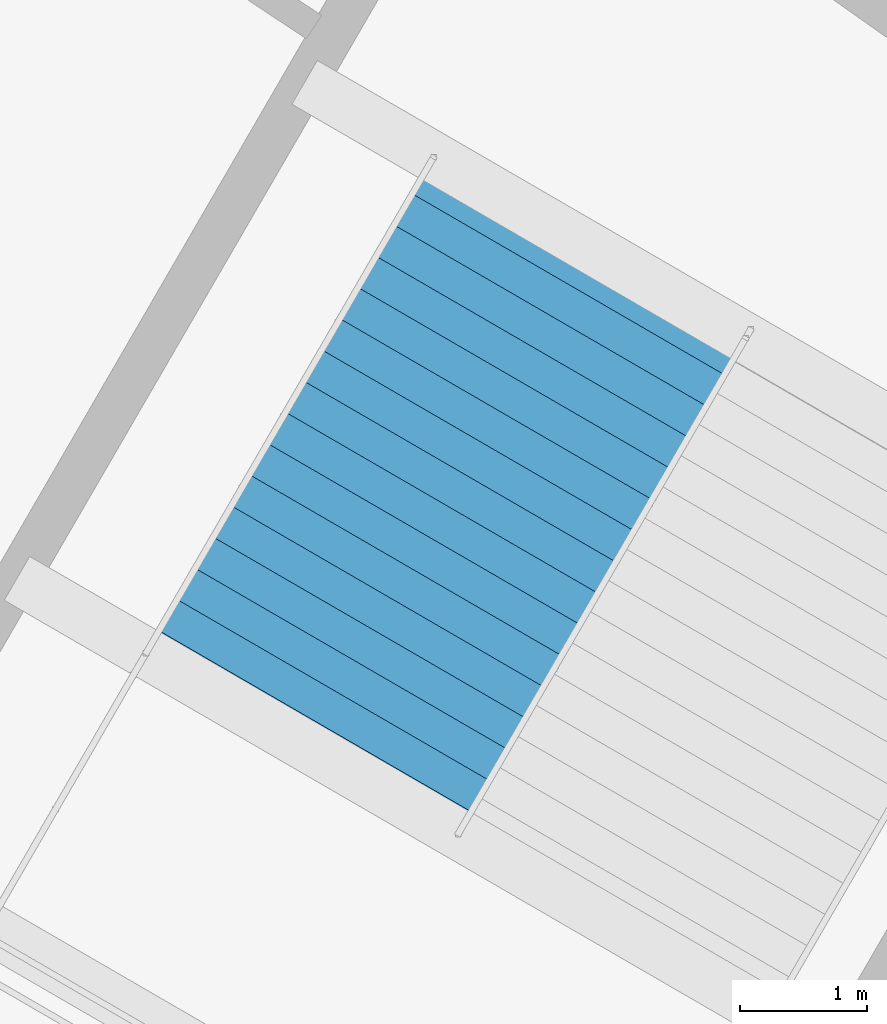
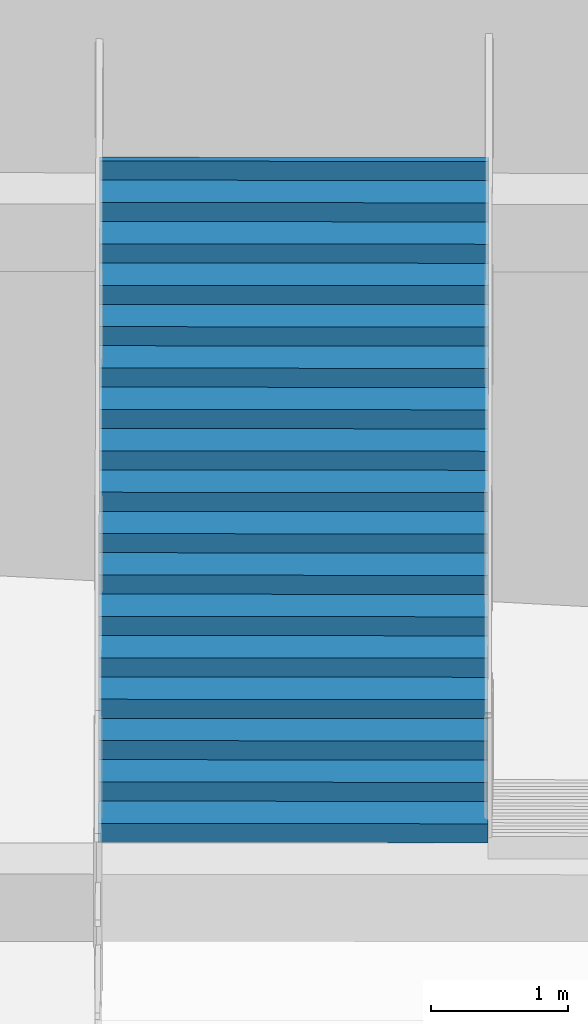
# One storey, part 33 of 48: 1 stair flight, 1 element without a shape of its own.
"""IFC4 building model written with IfcOpenShell, lengths in metres."""

from ifc_helpers import new_model, si_unit, direction, frame, origin, place, context, subcontext, project, spatial, polygons, material, type_object, element, aggregate, save


model = new_model("IFC4")

# Units and contexts
model_context = context("Model", 3, precision=1e-05, world=origin(), true_north=direction((0.0, 1.0)))
body_context = subcontext(model_context, "Body", "Model", "MODEL_VIEW")
ifc_project = project(units=[si_unit("LENGTHUNIT", "METRE"), si_unit("AREAUNIT", "SQUARE_METRE"), si_unit("VOLUMEUNIT", "CUBIC_METRE"), si_unit("PLANEANGLEUNIT", "RADIAN"), si_unit("MASSUNIT", "GRAM", prefix="KILO")], contexts=[model_context])

# Site, building, storey
site_placement = place(None, origin())
site = spatial("IfcSite", under=ifc_project, at=site_placement, CompositionType="ELEMENT")
building_placement = place(site_placement, origin())
building = spatial("IfcBuilding", under=site, at=building_placement, Name="Kazemori Nagisa Stadium", CompositionType="ELEMENT")
storey_placement = place(building_placement, origin())
storey = spatial("IfcBuildingStorey", under=building, at=storey_placement, Name="L00", CompositionType="ELEMENT", Elevation=0.0)

# Stair, stair flight
ifc_material = material(Name="Concrete C36/45 (Fc36)", Category="concrete")
stair_type = type_object("IfcStairType", Name="Stair_CORE_34", PredefinedType="TWO_STRAIGHT_RUN_STAIR", material=ifc_material)
stair_placement = place(storey_placement, origin())
stair = element("IfcStair", 1, at=stair_placement, inside=storey, type_object=stair_type, Name="Exit stair ST08 L00", PredefinedType="TWO_STRAIGHT_RUN_STAIR")
stair_flight_type = type_object("IfcStairFlightType", Name="Flight_CORE_17", PredefinedType="STRAIGHT", material=ifc_material)
stair_flight_placement = place(storey_placement, frame((44.725341796875, 148.096923828125, 2.889892578125), z_axis=(0.0, 0.0, 1.0), x_axis=(0.501612320914, 0.865092526559, 0.0)))
stair_flight = element("IfcStairFlight", 2, at=stair_flight_placement, type_object=stair_flight_type, Name="Exit stair ST08 L00 flight 2", NumberOfRisers=17, NumberOfTreads=16, PredefinedType="STRAIGHT", RiserHeight=0.17, TreadLength=0.285, context=body_context, shape_type="Tessellation", body=[
    polygons([(0.0, -1.425048828125, 0.0), (0.0, -1.425048828125, 0.169921875), (0.284912109375, -1.425048828125, 0.169921875), (0.284912109375, -1.425048828125, 0.340087890625), (0.570068359375, -1.425048828125, 0.340087890625), (0.570068359375, -1.425048828125, 0.510009765625), (0.85498046875, -1.425048828125, 0.510009765625), (0.85498046875, -1.425048828125, 0.679931640625), (1.139892578125, -1.425048828125, 0.679931640625), (1.139892578125, -1.425048828125, 0.85009765625), (1.425048828125, -1.425048828125, 0.85009765625), (1.425048828125, -1.425048828125, 1.02001953125), (1.7099609375, -1.425048828125, 1.02001953125), (1.7099609375, -1.425048828125, 1.18994140625), (1.9951171875, -1.425048828125, 1.18994140625), (1.9951171875, -1.425048828125, 1.360107421875), (2.280029296875, -1.425048828125, 1.360107421875), (2.280029296875, -1.425048828125, 1.530029296875), (2.56494140625, -1.425048828125, 1.530029296875), (2.56494140625, -1.425048828125, 1.699951171875), (2.85009765625, -1.425048828125, 1.699951171875), (2.85009765625, -1.425048828125, 1.8701171875), (3.135009765625, -1.425048828125, 1.8701171875), (3.135009765625, -1.425048828125, 2.0400390625), (3.419921875, -1.425048828125, 2.0400390625), (3.419921875, -1.425048828125, 2.2099609375), (3.705078125, -1.425048828125, 2.2099609375), (3.705078125, -1.425048828125, 2.3798828125), (3.989990234375, -1.425048828125, 2.3798828125), (3.989990234375, -1.425048828125, 2.550048828125), (4.27490234375, -1.425048828125, 2.550048828125), (4.27490234375, -1.425048828125, 2.719970703125), (4.56005859375, -1.425048828125, 2.719970703125), (4.56005859375, -1.425048828125, 2.889892578125), (4.610107421875, -1.425048828125, 2.889892578125), (4.610107421875, -1.425048828125, 2.51708984375), (4.56005859375, -1.425048828125, 2.487060546875), (4.27490234375, -1.425048828125, 2.317138671875), (3.989990234375, -1.425048828125, 2.147216796875), (3.705078125, -1.425048828125, 1.977294921875), (3.419921875, -1.425048828125, 1.80712890625), (3.135009765625, -1.425048828125, 1.63720703125), (2.85009765625, -1.425048828125, 1.46728515625), (2.56494140625, -1.425048828125, 1.297119140625), (2.280029296875, -1.425048828125, 1.127197265625), (1.9951171875, -1.425048828125, 0.957275390625), (1.7099609375, -1.425048828125, 0.787109375), (1.425048828125, -1.425048828125, 0.6171875), (1.139892578125, -1.425048828125, 0.447265625), (0.85498046875, -1.425048828125, 0.277099609375), (0.570068359375, -1.425048828125, 0.107177734375), (0.284912109375, -1.425048828125, 0.0), (0.0, -0.08544921875, 0.0), (0.0, -0.08544921875, 0.169921875), (0.284912109375, -0.08544921875, 0.169921875), (0.284912109375, -0.08544921875, 0.340087890625), (0.570068359375, -0.08544921875, 0.340087890625), (0.570068359375, -0.08544921875, 0.510009765625), (0.85498046875, -0.08544921875, 0.510009765625), (0.85498046875, -0.08544921875, 0.679931640625), (1.139892578125, -0.08544921875, 0.679931640625), (1.139892578125, -0.08544921875, 0.85009765625), (1.425048828125, -0.08544921875, 0.85009765625), (1.425048828125, -0.08544921875, 1.02001953125), (1.7099609375, -0.08544921875, 1.02001953125), (1.7099609375, -0.08544921875, 1.18994140625), (1.9951171875, -0.08544921875, 1.18994140625), (1.9951171875, -0.08544921875, 1.360107421875), (2.280029296875, -0.08544921875, 1.360107421875), (2.280029296875, -0.08544921875, 1.530029296875), (2.56494140625, -0.08544921875, 1.530029296875), (2.56494140625, -0.08544921875, 1.699951171875), (2.85009765625, -0.08544921875, 1.699951171875), (2.85009765625, -0.08544921875, 1.8701171875), (3.135009765625, -0.08544921875, 1.8701171875), (3.135009765625, -0.08544921875, 2.0400390625), (3.419921875, -0.08544921875, 2.0400390625), (3.419921875, -0.08544921875, 2.2099609375), (3.705078125, -0.08544921875, 2.2099609375), (3.705078125, -0.08544921875, 2.3798828125), (3.989990234375, -0.08544921875, 2.3798828125), (3.989990234375, -0.08544921875, 2.550048828125), (4.27490234375, -0.08544921875, 2.550048828125), (4.27490234375, -0.08544921875, 2.719970703125), (4.56005859375, -0.08544921875, 2.719970703125), (4.56005859375, -0.08544921875, 2.889892578125), (4.610107421875, -0.08544921875, 2.889892578125), (4.610107421875, -0.08544921875, 2.51708984375), (4.56005859375, -0.08544921875, 2.487060546875), (4.27490234375, -0.08544921875, 2.317138671875), (3.989990234375, -0.08544921875, 2.147216796875), (3.705078125, -0.08544921875, 1.977294921875), (3.419921875, -0.08544921875, 1.80712890625), (3.135009765625, -0.08544921875, 1.63720703125), (2.85009765625, -0.08544921875, 1.46728515625), (2.56494140625, -0.08544921875, 1.297119140625), (2.280029296875, -0.08544921875, 1.127197265625), (1.9951171875, -0.08544921875, 0.957275390625), (1.7099609375, -0.08544921875, 0.787109375), (1.425048828125, -0.08544921875, 0.6171875), (1.139892578125, -0.08544921875, 0.447265625), (0.85498046875, -0.08544921875, 0.277099609375), (0.570068359375, -0.08544921875, 0.107177734375), (0.284912109375, -0.08544921875, 0.0), (0.0, 0.0, 0.0), (0.0, 0.0, 0.169921875), (0.284912109375, 0.0, 0.169921875), (0.284912109375, 0.0, 0.340087890625), (0.570068359375, 0.0, 0.340087890625), (0.570068359375, 0.0, 0.510009765625), (0.85498046875, 0.0, 0.510009765625), (0.85498046875, 0.0, 0.679931640625), (1.139892578125, 0.0, 0.679931640625), (1.139892578125, 0.0, 0.85009765625), (1.425048828125, 0.0, 0.85009765625), (1.425048828125, 0.0, 1.02001953125), (1.7099609375, 0.0, 1.02001953125), (1.7099609375, 0.0, 1.18994140625), (1.9951171875, 0.0, 1.18994140625), (1.9951171875, 0.0, 1.360107421875), (2.280029296875, 0.0, 1.360107421875), (2.280029296875, 0.0, 1.530029296875), (2.56494140625, 0.0, 1.530029296875), (2.56494140625, 0.0, 1.699951171875), (2.85009765625, 0.0, 1.699951171875), (2.85009765625, 0.0, 1.8701171875), (3.135009765625, 0.0, 1.8701171875), (3.135009765625, 0.0, 2.0400390625), (3.419921875, 0.0, 2.0400390625), (3.419921875, 0.0, 2.2099609375), (3.705078125, 0.0, 2.2099609375), (3.705078125, 0.0, 2.3798828125), (3.989990234375, 0.0, 2.3798828125), (3.989990234375, 0.0, 2.550048828125), (4.27490234375, 0.0, 2.550048828125), (4.27490234375, 0.0, 2.719970703125), (4.56005859375, 0.0, 2.719970703125), (4.56005859375, 0.0, 2.889892578125), (4.610107421875, 0.0, 2.889892578125), (4.610107421875, 0.0, 2.51708984375), (4.56005859375, 0.0, 2.487060546875), (4.27490234375, 0.0, 2.317138671875), (3.989990234375, 0.0, 2.147216796875), (3.705078125, 0.0, 1.977294921875), (3.419921875, 0.0, 1.80712890625), (3.135009765625, 0.0, 1.63720703125), (2.85009765625, 0.0, 1.46728515625), (2.56494140625, 0.0, 1.297119140625), (2.280029296875, 0.0, 1.127197265625), (1.9951171875, 0.0, 0.957275390625), (1.7099609375, 0.0, 0.787109375), (1.425048828125, 0.0, 0.6171875), (1.139892578125, 0.0, 0.447265625), (0.85498046875, 0.0, 0.277099609375), (0.570068359375, 0.0, 0.107177734375), (0.284912109375, 0.0, 0.0), (0.0, 0.08544921875, 0.0), (0.0, 0.08544921875, 0.169921875), (0.284912109375, 0.08544921875, 0.169921875), (0.284912109375, 0.08544921875, 0.340087890625), (0.570068359375, 0.08544921875, 0.340087890625), (0.570068359375, 0.08544921875, 0.510009765625), (0.85498046875, 0.08544921875, 0.510009765625), (0.85498046875, 0.08544921875, 0.679931640625), (1.139892578125, 0.08544921875, 0.679931640625), (1.139892578125, 0.08544921875, 0.85009765625), (1.425048828125, 0.08544921875, 0.85009765625), (1.425048828125, 0.08544921875, 1.02001953125), (1.7099609375, 0.08544921875, 1.02001953125), (1.7099609375, 0.08544921875, 1.18994140625), (1.9951171875, 0.08544921875, 1.18994140625), (1.9951171875, 0.08544921875, 1.360107421875), (2.280029296875, 0.08544921875, 1.360107421875), (2.280029296875, 0.08544921875, 1.530029296875), (2.56494140625, 0.08544921875, 1.530029296875), (2.56494140625, 0.08544921875, 1.699951171875), (2.85009765625, 0.08544921875, 1.699951171875), (2.85009765625, 0.08544921875, 1.8701171875), (3.135009765625, 0.08544921875, 1.8701171875), (3.135009765625, 0.08544921875, 2.0400390625), (3.419921875, 0.08544921875, 2.0400390625), (3.419921875, 0.08544921875, 2.2099609375), (3.705078125, 0.08544921875, 2.2099609375), (3.705078125, 0.08544921875, 2.3798828125), (3.989990234375, 0.08544921875, 2.3798828125), (3.989990234375, 0.08544921875, 2.550048828125), (4.27490234375, 0.08544921875, 2.550048828125), (4.27490234375, 0.08544921875, 2.719970703125), (4.56005859375, 0.08544921875, 2.719970703125), (4.56005859375, 0.08544921875, 2.889892578125), (4.610107421875, 0.08544921875, 2.889892578125), (4.610107421875, 0.08544921875, 2.51708984375), (4.56005859375, 0.08544921875, 2.487060546875), (4.27490234375, 0.08544921875, 2.317138671875), (3.989990234375, 0.08544921875, 2.147216796875), (3.705078125, 0.08544921875, 1.977294921875), (3.419921875, 0.08544921875, 1.80712890625), (3.135009765625, 0.08544921875, 1.63720703125), (2.85009765625, 0.08544921875, 1.46728515625), (2.56494140625, 0.08544921875, 1.297119140625), (2.280029296875, 0.08544921875, 1.127197265625), (1.9951171875, 0.08544921875, 0.957275390625), (1.7099609375, 0.08544921875, 0.787109375), (1.425048828125, 0.08544921875, 0.6171875), (1.139892578125, 0.08544921875, 0.447265625), (0.85498046875, 0.08544921875, 0.277099609375), (0.570068359375, 0.08544921875, 0.107177734375), (0.284912109375, 0.08544921875, 0.0), (0.0, 1.425048828125, 0.0), (0.0, 1.425048828125, 0.169921875), (0.284912109375, 1.425048828125, 0.169921875), (0.284912109375, 1.425048828125, 0.340087890625), (0.570068359375, 1.425048828125, 0.340087890625), (0.570068359375, 1.425048828125, 0.510009765625), (0.85498046875, 1.425048828125, 0.510009765625), (0.85498046875, 1.425048828125, 0.679931640625), (1.139892578125, 1.425048828125, 0.679931640625), (1.139892578125, 1.425048828125, 0.85009765625), (1.425048828125, 1.425048828125, 0.85009765625), (1.425048828125, 1.425048828125, 1.02001953125), (1.7099609375, 1.425048828125, 1.02001953125), (1.7099609375, 1.425048828125, 1.18994140625), (1.9951171875, 1.425048828125, 1.18994140625), (1.9951171875, 1.425048828125, 1.360107421875), (2.280029296875, 1.425048828125, 1.360107421875), (2.280029296875, 1.425048828125, 1.530029296875), (2.56494140625, 1.425048828125, 1.530029296875), (2.56494140625, 1.425048828125, 1.699951171875), (2.85009765625, 1.425048828125, 1.699951171875), (2.85009765625, 1.425048828125, 1.8701171875), (3.135009765625, 1.425048828125, 1.8701171875), (3.135009765625, 1.425048828125, 2.0400390625), (3.419921875, 1.425048828125, 2.0400390625), (3.419921875, 1.425048828125, 2.2099609375), (3.705078125, 1.425048828125, 2.2099609375), (3.705078125, 1.425048828125, 2.3798828125), (3.989990234375, 1.425048828125, 2.3798828125), (3.989990234375, 1.425048828125, 2.550048828125), (4.27490234375, 1.425048828125, 2.550048828125), (4.27490234375, 1.425048828125, 2.719970703125), (4.56005859375, 1.425048828125, 2.719970703125), (4.56005859375, 1.425048828125, 2.889892578125), (4.610107421875, 1.425048828125, 2.889892578125), (4.610107421875, 1.425048828125, 2.51708984375), (4.56005859375, 1.425048828125, 2.487060546875), (4.27490234375, 1.425048828125, 2.317138671875), (3.989990234375, 1.425048828125, 2.147216796875), (3.705078125, 1.425048828125, 1.977294921875), (3.419921875, 1.425048828125, 1.80712890625), (3.135009765625, 1.425048828125, 1.63720703125), (2.85009765625, 1.425048828125, 1.46728515625), (2.56494140625, 1.425048828125, 1.297119140625), (2.280029296875, 1.425048828125, 1.127197265625), (1.9951171875, 1.425048828125, 0.957275390625), (1.7099609375, 1.425048828125, 0.787109375), (1.425048828125, 1.425048828125, 0.6171875), (1.139892578125, 1.425048828125, 0.447265625), (0.85498046875, 1.425048828125, 0.277099609375), (0.570068359375, 1.425048828125, 0.107177734375), (0.284912109375, 1.425048828125, 0.0)], [[[1, 2, 54]], [[1, 54, 53]], [[2, 3, 55]], [[2, 55, 54]], [[3, 4, 56]], [[3, 56, 55]], [[4, 5, 57]], [[4, 57, 56]], [[5, 6, 58]], [[5, 58, 57]], [[6, 7, 59]], [[6, 59, 58]], [[7, 8, 60]], [[7, 60, 59]], [[8, 9, 61]], [[8, 61, 60]], [[9, 10, 62]], [[9, 62, 61]], [[10, 11, 63]], [[10, 63, 62]], [[11, 12, 64]], [[11, 64, 63]], [[12, 13, 65]], [[12, 65, 64]], [[13, 14, 66]], [[13, 66, 65]], [[14, 15, 67]], [[14, 67, 66]], [[15, 16, 68]], [[15, 68, 67]], [[16, 17, 69]], [[16, 69, 68]], [[17, 18, 70]], [[17, 70, 69]], [[18, 19, 71]], [[18, 71, 70]], [[19, 20, 72]], [[19, 72, 71]], [[20, 21, 73]], [[20, 73, 72]], [[21, 22, 74]], [[21, 74, 73]], [[22, 23, 75]], [[22, 75, 74]], [[23, 24, 76]], [[23, 76, 75]], [[24, 25, 77]], [[24, 77, 76]], [[25, 26, 78]], [[25, 78, 77]], [[26, 27, 79]], [[26, 79, 78]], [[27, 28, 80]], [[27, 80, 79]], [[28, 29, 81]], [[28, 81, 80]], [[29, 30, 82]], [[29, 82, 81]], [[30, 31, 83]], [[30, 83, 82]], [[31, 32, 84]], [[31, 84, 83]], [[32, 33, 85]], [[32, 85, 84]], [[33, 34, 86]], [[33, 86, 85]], [[34, 35, 87]], [[34, 87, 86]], [[35, 36, 88]], [[35, 88, 87]], [[36, 37, 89]], [[36, 89, 88]], [[37, 38, 90]], [[37, 90, 89]], [[38, 39, 91]], [[38, 91, 90]], [[39, 40, 92]], [[39, 92, 91]], [[40, 41, 93]], [[40, 93, 92]], [[41, 42, 94]], [[41, 94, 93]], [[42, 43, 95]], [[42, 95, 94]], [[43, 44, 96]], [[43, 96, 95]], [[44, 45, 97]], [[44, 97, 96]], [[45, 46, 98]], [[45, 98, 97]], [[46, 47, 99]], [[46, 99, 98]], [[47, 48, 100]], [[47, 100, 99]], [[48, 49, 101]], [[48, 101, 100]], [[49, 50, 102]], [[49, 102, 101]], [[50, 51, 103]], [[50, 103, 102]], [[51, 52, 104]], [[51, 104, 103]], [[52, 1, 53]], [[52, 53, 104]], [[53, 54, 106]], [[53, 106, 105]], [[54, 55, 107]], [[54, 107, 106]], [[55, 56, 108]], [[55, 108, 107]], [[56, 57, 109]], [[56, 109, 108]], [[57, 58, 110]], [[57, 110, 109]], [[58, 59, 111]], [[58, 111, 110]], [[59, 60, 112]], [[59, 112, 111]], [[60, 61, 113]], [[60, 113, 112]], [[61, 62, 114]], [[61, 114, 113]], [[62, 63, 115]], [[62, 115, 114]], [[63, 64, 116]], [[63, 116, 115]], [[64, 65, 117]], [[64, 117, 116]], [[65, 66, 118]], [[65, 118, 117]], [[66, 67, 119]], [[66, 119, 118]], [[67, 68, 120]], [[67, 120, 119]], [[68, 69, 121]], [[68, 121, 120]], [[69, 70, 122]], [[69, 122, 121]], [[70, 71, 123]], [[70, 123, 122]], [[71, 72, 124]], [[71, 124, 123]], [[72, 73, 125]], [[72, 125, 124]], [[73, 74, 126]], [[73, 126, 125]], [[74, 75, 127]], [[74, 127, 126]], [[75, 76, 128]], [[75, 128, 127]], [[76, 77, 129]], [[76, 129, 128]], [[77, 78, 130]], [[77, 130, 129]], [[78, 79, 131]], [[78, 131, 130]], [[79, 80, 132]], [[79, 132, 131]], [[80, 81, 133]], [[80, 133, 132]], [[81, 82, 134]], [[81, 134, 133]], [[82, 83, 135]], [[82, 135, 134]], [[83, 84, 136]], [[83, 136, 135]], [[84, 85, 137]], [[84, 137, 136]], [[85, 86, 138]], [[85, 138, 137]], [[86, 87, 139]], [[86, 139, 138]], [[87, 88, 140]], [[87, 140, 139]], [[88, 89, 141]], [[88, 141, 140]], [[89, 90, 142]], [[89, 142, 141]], [[90, 91, 143]], [[90, 143, 142]], [[91, 92, 144]], [[91, 144, 143]], [[92, 93, 145]], [[92, 145, 144]], [[93, 94, 146]], [[93, 146, 145]], [[94, 95, 147]], [[94, 147, 146]], [[95, 96, 148]], [[95, 148, 147]], [[96, 97, 149]], [[96, 149, 148]], [[97, 98, 150]], [[97, 150, 149]], [[98, 99, 151]], [[98, 151, 150]], [[99, 100, 152]], [[99, 152, 151]], [[100, 101, 153]], [[100, 153, 152]], [[101, 102, 154]], [[101, 154, 153]], [[102, 103, 155]], [[102, 155, 154]], [[103, 104, 156]], [[103, 156, 155]], [[104, 53, 105]], [[104, 105, 156]], [[105, 106, 158]], [[105, 158, 157]], [[106, 107, 159]], [[106, 159, 158]], [[107, 108, 160]], [[107, 160, 159]], [[108, 109, 161]], [[108, 161, 160]], [[109, 110, 162]], [[109, 162, 161]], [[110, 111, 163]], [[110, 163, 162]], [[111, 112, 164]], [[111, 164, 163]], [[112, 113, 165]], [[112, 165, 164]], [[113, 114, 166]], [[113, 166, 165]], [[114, 115, 167]], [[114, 167, 166]], [[115, 116, 168]], [[115, 168, 167]], [[116, 117, 169]], [[116, 169, 168]], [[117, 118, 170]], [[117, 170, 169]], [[118, 119, 171]], [[118, 171, 170]], [[119, 120, 172]], [[119, 172, 171]], [[120, 121, 173]], [[120, 173, 172]], [[121, 122, 174]], [[121, 174, 173]], [[122, 123, 175]], [[122, 175, 174]], [[123, 124, 176]], [[123, 176, 175]], [[124, 125, 177]], [[124, 177, 176]], [[125, 126, 178]], [[125, 178, 177]], [[126, 127, 179]], [[126, 179, 178]], [[127, 128, 180]], [[127, 180, 179]], [[128, 129, 181]], [[128, 181, 180]], [[129, 130, 182]], [[129, 182, 181]], [[130, 131, 183]], [[130, 183, 182]], [[131, 132, 184]], [[131, 184, 183]], [[132, 133, 185]], [[132, 185, 184]], [[133, 134, 186]], [[133, 186, 185]], [[134, 135, 187]], [[134, 187, 186]], [[135, 136, 188]], [[135, 188, 187]], [[136, 137, 189]], [[136, 189, 188]], [[137, 138, 190]], [[137, 190, 189]], [[138, 139, 191]], [[138, 191, 190]], [[139, 140, 192]], [[139, 192, 191]], [[140, 141, 193]], [[140, 193, 192]], [[141, 142, 194]], [[141, 194, 193]], [[142, 143, 195]], [[142, 195, 194]], [[143, 144, 196]], [[143, 196, 195]], [[144, 145, 197]], [[144, 197, 196]], [[145, 146, 198]], [[145, 198, 197]], [[146, 147, 199]], [[146, 199, 198]], [[147, 148, 200]], [[147, 200, 199]], [[148, 149, 201]], [[148, 201, 200]], [[149, 150, 202]], [[149, 202, 201]], [[150, 151, 203]], [[150, 203, 202]], [[151, 152, 204]], [[151, 204, 203]], [[152, 153, 205]], [[152, 205, 204]], [[153, 154, 206]], [[153, 206, 205]], [[154, 155, 207]], [[154, 207, 206]], [[155, 156, 208]], [[155, 208, 207]], [[156, 105, 157]], [[156, 157, 208]], [[157, 158, 210]], [[157, 210, 209]], [[158, 159, 211]], [[158, 211, 210]], [[159, 160, 212]], [[159, 212, 211]], [[160, 161, 213]], [[160, 213, 212]], [[161, 162, 214]], [[161, 214, 213]], [[162, 163, 215]], [[162, 215, 214]], [[163, 164, 216]], [[163, 216, 215]], [[164, 165, 217]], [[164, 217, 216]], [[165, 166, 218]], [[165, 218, 217]], [[166, 167, 219]], [[166, 219, 218]], [[167, 168, 220]], [[167, 220, 219]], [[168, 169, 221]], [[168, 221, 220]], [[169, 170, 222]], [[169, 222, 221]], [[170, 171, 223]], [[170, 223, 222]], [[171, 172, 224]], [[171, 224, 223]], [[172, 173, 225]], [[172, 225, 224]], [[173, 174, 226]], [[173, 226, 225]], [[174, 175, 227]], [[174, 227, 226]], [[175, 176, 228]], [[175, 228, 227]], [[176, 177, 229]], [[176, 229, 228]], [[177, 178, 230]], [[177, 230, 229]], [[178, 179, 231]], [[178, 231, 230]], [[179, 180, 232]], [[179, 232, 231]], [[180, 181, 233]], [[180, 233, 232]], [[181, 182, 234]], [[181, 234, 233]], [[182, 183, 235]], [[182, 235, 234]], [[183, 184, 236]], [[183, 236, 235]], [[184, 185, 237]], [[184, 237, 236]], [[185, 186, 238]], [[185, 238, 237]], [[186, 187, 239]], [[186, 239, 238]], [[187, 188, 240]], [[187, 240, 239]], [[188, 189, 241]], [[188, 241, 240]], [[189, 190, 242]], [[189, 242, 241]], [[190, 191, 243]], [[190, 243, 242]], [[191, 192, 244]], [[191, 244, 243]], [[192, 193, 245]], [[192, 245, 244]], [[193, 194, 246]], [[193, 246, 245]], [[194, 195, 247]], [[194, 247, 246]], [[195, 196, 248]], [[195, 248, 247]], [[196, 197, 249]], [[196, 249, 248]], [[197, 198, 250]], [[197, 250, 249]], [[198, 199, 251]], [[198, 251, 250]], [[199, 200, 252]], [[199, 252, 251]], [[200, 201, 253]], [[200, 253, 252]], [[201, 202, 254]], [[201, 254, 253]], [[202, 203, 255]], [[202, 255, 254]], [[203, 204, 256]], [[203, 256, 255]], [[204, 205, 257]], [[204, 257, 256]], [[205, 206, 258]], [[205, 258, 257]], [[206, 207, 259]], [[206, 259, 258]], [[207, 208, 260]], [[207, 260, 259]], [[208, 157, 209]], [[208, 209, 260]], [[3, 2, 1]], [[209, 210, 211]], [[52, 3, 1]], [[209, 211, 260]], [[51, 3, 52]], [[260, 211, 259]], [[5, 3, 51]], [[259, 211, 213]], [[5, 4, 3]], [[211, 212, 213]], [[50, 5, 51]], [[259, 213, 258]], [[7, 5, 50]], [[258, 213, 215]], [[7, 6, 5]], [[213, 214, 215]], [[49, 7, 50]], [[258, 215, 257]], [[9, 7, 49]], [[257, 215, 217]], [[9, 8, 7]], [[215, 216, 217]], [[48, 9, 49]], [[257, 217, 256]], [[11, 9, 48]], [[256, 217, 219]], [[11, 10, 9]], [[217, 218, 219]], [[47, 11, 48]], [[256, 219, 255]], [[13, 11, 47]], [[255, 219, 221]], [[13, 12, 11]], [[219, 220, 221]], [[46, 13, 47]], [[255, 221, 254]], [[15, 13, 46]], [[254, 221, 223]], [[15, 14, 13]], [[221, 222, 223]], [[45, 15, 46]], [[254, 223, 253]], [[17, 15, 45]], [[253, 223, 225]], [[17, 16, 15]], [[223, 224, 225]], [[44, 17, 45]], [[253, 225, 252]], [[19, 17, 44]], [[252, 225, 227]], [[19, 18, 17]], [[225, 226, 227]], [[43, 19, 44]], [[252, 227, 251]], [[21, 19, 43]], [[251, 227, 229]], [[21, 20, 19]], [[227, 228, 229]], [[42, 21, 43]], [[251, 229, 250]], [[23, 21, 42]], [[250, 229, 231]], [[23, 22, 21]], [[229, 230, 231]], [[41, 23, 42]], [[250, 231, 249]], [[25, 23, 41]], [[249, 231, 233]], [[25, 24, 23]], [[231, 232, 233]], [[40, 25, 41]], [[249, 233, 248]], [[27, 25, 40]], [[248, 233, 235]], [[27, 26, 25]], [[233, 234, 235]], [[39, 27, 40]], [[248, 235, 247]], [[29, 27, 39]], [[247, 235, 237]], [[29, 28, 27]], [[235, 236, 237]], [[38, 29, 39]], [[247, 237, 246]], [[31, 29, 38]], [[246, 237, 239]], [[31, 30, 29]], [[237, 238, 239]], [[37, 31, 38]], [[246, 239, 245]], [[33, 31, 37]], [[245, 239, 241]], [[33, 32, 31]], [[239, 240, 241]], [[36, 33, 37]], [[245, 241, 244]], [[35, 33, 36]], [[244, 241, 243]], [[35, 34, 33]], [[241, 242, 243]]], closed=True),
])
aggregate(stair, [stair_flight])

save(model, "model.ifc")
